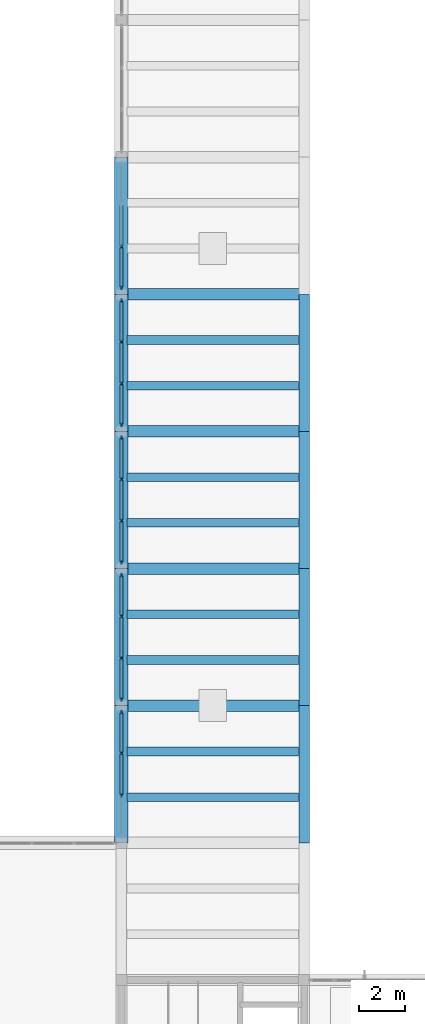
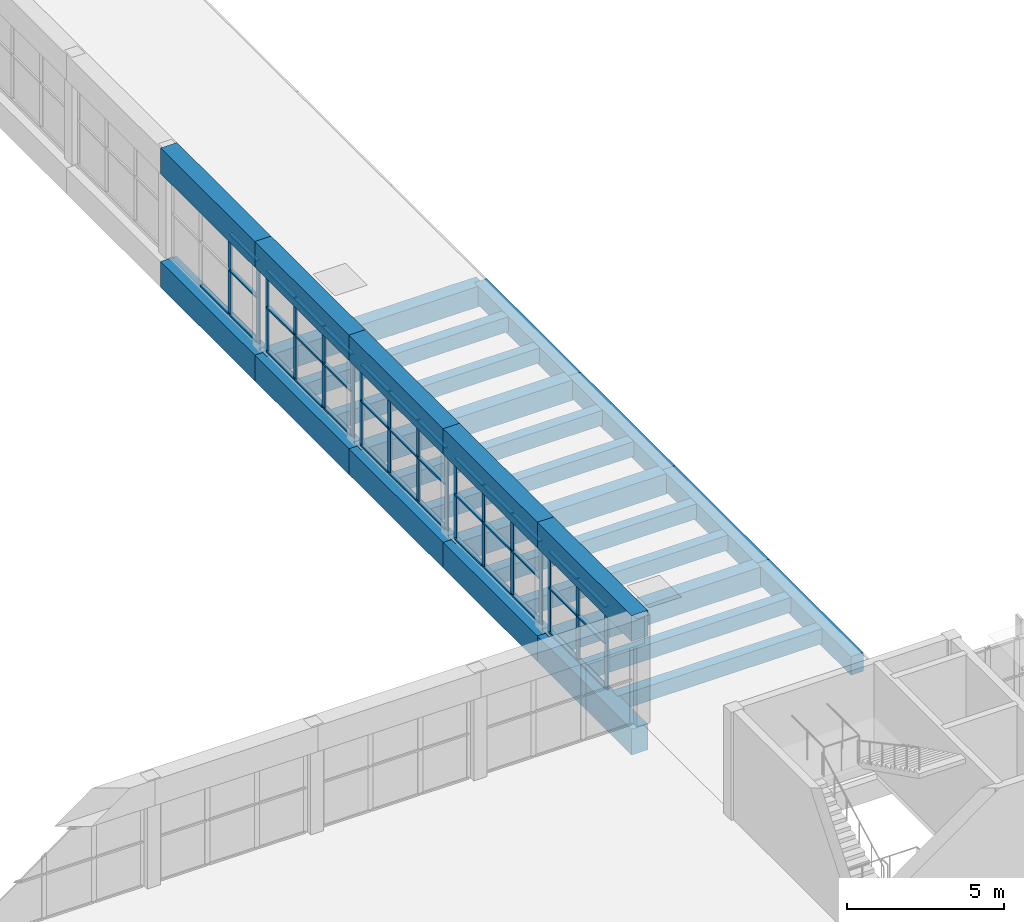
# One storey, part 13 of 70: 54 members, 26 beams, 5 elements without a shape of their own.
"""IFC4 building model written with IfcOpenShell, lengths in metres."""

from ifc_helpers import new_model, si_unit, direction, frame, origin, origin_2d, place, context, subcontext, project, spatial, rectangle, extrude, material, layer, layer_set, material_profile, profile_set, type_object, element, aggregate, save


model = new_model("IFC4")

# Units and contexts
model_context = context("Model", 3, precision=1e-05, world=origin(), true_north=direction((0.0, 1.0)))
body_context = subcontext(model_context, "Body", "Model", "MODEL_VIEW")
ifc_project = project(units=[si_unit("LENGTHUNIT", "METRE"), si_unit("AREAUNIT", "SQUARE_METRE"), si_unit("VOLUMEUNIT", "CUBIC_METRE"), si_unit("PLANEANGLEUNIT", "RADIAN"), si_unit("MASSUNIT", "GRAM", prefix="KILO")], contexts=[model_context])

# Site, building, storey
site_placement = place(None, origin())
site = spatial("IfcSite", under=ifc_project, at=site_placement, CompositionType="ELEMENT")
building_placement = place(site_placement, origin())
building = spatial("IfcBuilding", under=site, at=building_placement, Name="Solvane Community Centre", CompositionType="ELEMENT")
storey_placement = place(building_placement, frame((0.0, 0.0, 9.60009765625)))
storey = spatial("IfcBuildingStorey", under=building, at=storey_placement, Name="L02", CompositionType="ELEMENT", Elevation=9.60009765625)

# Curtain wall, members
ifc_material_1 = material(Name="Anodised bronze aluminium AW-6063 T6", Category="aluminium")
ifc_layer = layer(ifc_material_1, 0.179931640625)
ifc_layer_set = layer_set([ifc_layer], Name="Anodised bronze aluminium AW-6063 T6")
curtain_wall_type = type_object("IfcCurtainWallType", Name="Hall Translucent Upper Curtain Wall [55x32dm]", PredefinedType="NOTDEFINED", material=ifc_layer_set)
curtain_wall_1_placement = place(storey_placement, origin())
curtain_wall_1 = element("IfcCurtainWall", 1, at=curtain_wall_1_placement, inside=storey, type_object=curtain_wall_type, Name="Curtain Wall CW-L02-600_363-136", PredefinedType="NOTDEFINED")
ifc_material_profile_1 = material_profile(ifc_material_1, rectangle(XDim=0.06005859375, YDim=0.179931640625, at=origin_2d()), Name="CW-M 60x180")
ifc_profile_set_1 = profile_set([ifc_material_profile_1], Name="Anodised bronze aluminium AW-6063 T6")
member_type_1 = type_object("IfcMemberType", Name="Hall Mullion 60x180", PredefinedType="MULLION", material=ifc_profile_set_1)
member_1_placement = place(storey_placement, frame((60.0, 38.0849609375, 0.0), z_axis=(0.0, 0.0, 1.0), x_axis=(-1.0, 0.0, 0.0)))
member_1 = element("IfcMember", 2, at=member_1_placement, type_object=member_type_1, Name="CW01-55x32 mullion 2", PredefinedType="MULLION", context=body_context, shape_type="SweptSolid", body=[
    extrude(rectangle(XDim=0.06005859375, YDim=0.179931640625, at=origin_2d()), origin(), (0.0, 0.0, 1.0), 3.184814453125),
])
member_2_placement = place(storey_placement, frame((60.0, 39.9150390625, 0.0), z_axis=(0.0, 0.0, 1.0), x_axis=(-1.0, 0.0, 0.0)))
member_2 = element("IfcMember", 3, at=member_2_placement, type_object=member_type_1, Name="CW01-55x32 mullion 3", PredefinedType="MULLION", context=body_context, shape_type="SweptSolid", body=[
    extrude(rectangle(XDim=0.06005859375, YDim=0.179931640625, at=origin_2d()), origin(), (0.0, 0.0, 1.0), 3.184814453125),
])
member_3_placement = place(storey_placement, frame((60.0, 41.715087890625, 0.0), z_axis=(0.0, 0.0, 1.0), x_axis=(-1.0, 0.0, 0.0)))
member_3 = element("IfcMember", 4, at=member_3_placement, type_object=member_type_1, Name="CW01-55x32 mullion 4", PredefinedType="MULLION", context=body_context, shape_type="SweptSolid", body=[
    extrude(rectangle(XDim=0.06005859375, YDim=0.179931640625, at=origin_2d()), origin(), (0.0, 0.0, 1.0), 3.184814453125),
])

curtain_wall_2_placement = place(storey_placement, origin())
curtain_wall_2 = element("IfcCurtainWall", 5, at=curtain_wall_2_placement, inside=storey, type_object=curtain_wall_type, Name="Curtain Wall CW-L02-600_423-137", PredefinedType="NOTDEFINED")
member_4_placement = place(storey_placement, frame((60.0, 42.284912109375, 0.0), z_axis=(0.0, 0.0, 1.0), x_axis=(-1.0, 0.0, 0.0)))
member_4 = element("IfcMember", 6, at=member_4_placement, type_object=member_type_1, Name="CW01-55x32 mullion 1", PredefinedType="MULLION", context=body_context, shape_type="SweptSolid", body=[
    extrude(rectangle(XDim=0.06005859375, YDim=0.179931640625, at=origin_2d()), origin(), (0.0, 0.0, 1.0), 3.184814453125),
])
member_5_placement = place(storey_placement, frame((60.0, 44.0849609375, 0.0), z_axis=(0.0, 0.0, 1.0), x_axis=(-1.0, 0.0, 0.0)))
member_5 = element("IfcMember", 7, at=member_5_placement, type_object=member_type_1, Name="CW01-55x32 mullion 2", PredefinedType="MULLION", context=body_context, shape_type="SweptSolid", body=[
    extrude(rectangle(XDim=0.06005859375, YDim=0.179931640625, at=origin_2d()), origin(), (0.0, 0.0, 1.0), 3.184814453125),
])
member_6_placement = place(storey_placement, frame((60.0, 45.9150390625, 0.0), z_axis=(0.0, 0.0, 1.0), x_axis=(-1.0, 0.0, 0.0)))
member_6 = element("IfcMember", 8, at=member_6_placement, type_object=member_type_1, Name="CW01-55x32 mullion 3", PredefinedType="MULLION", context=body_context, shape_type="SweptSolid", body=[
    extrude(rectangle(XDim=0.06005859375, YDim=0.179931640625, at=origin_2d()), origin(), (0.0, 0.0, 1.0), 3.184814453125),
])
member_7_placement = place(storey_placement, frame((60.0, 47.715087890625, 0.0), z_axis=(0.0, 0.0, 1.0), x_axis=(-1.0, 0.0, 0.0)))
member_7 = element("IfcMember", 9, at=member_7_placement, type_object=member_type_1, Name="CW01-55x32 mullion 4", PredefinedType="MULLION", context=body_context, shape_type="SweptSolid", body=[
    extrude(rectangle(XDim=0.06005859375, YDim=0.179931640625, at=origin_2d()), origin(), (0.0, 0.0, 1.0), 3.184814453125),
])

curtain_wall_3_placement = place(storey_placement, origin())
curtain_wall_3 = element("IfcCurtainWall", 10, at=curtain_wall_3_placement, inside=storey, type_object=curtain_wall_type, Name="Curtain Wall CW-L02-600_483-138", PredefinedType="NOTDEFINED")
member_8_placement = place(storey_placement, frame((60.0, 48.284912109375, 0.0), z_axis=(0.0, 0.0, 1.0), x_axis=(-1.0, 0.0, 0.0)))
member_8 = element("IfcMember", 11, at=member_8_placement, type_object=member_type_1, Name="CW01-55x32 mullion 1", PredefinedType="MULLION", context=body_context, shape_type="SweptSolid", body=[
    extrude(rectangle(XDim=0.06005859375, YDim=0.179931640625, at=origin_2d()), origin(), (0.0, 0.0, 1.0), 3.184814453125),
])
member_9_placement = place(storey_placement, frame((60.0, 50.0849609375, 0.0), z_axis=(0.0, 0.0, 1.0), x_axis=(-1.0, 0.0, 0.0)))
member_9 = element("IfcMember", 12, at=member_9_placement, type_object=member_type_1, Name="CW01-55x32 mullion 2", PredefinedType="MULLION", context=body_context, shape_type="SweptSolid", body=[
    extrude(rectangle(XDim=0.06005859375, YDim=0.179931640625, at=origin_2d()), origin(), (0.0, 0.0, 1.0), 3.184814453125),
])
member_10_placement = place(storey_placement, frame((60.0, 51.9150390625, 0.0), z_axis=(0.0, 0.0, 1.0), x_axis=(-1.0, 0.0, 0.0)))
member_10 = element("IfcMember", 13, at=member_10_placement, type_object=member_type_1, Name="CW01-55x32 mullion 3", PredefinedType="MULLION", context=body_context, shape_type="SweptSolid", body=[
    extrude(rectangle(XDim=0.06005859375, YDim=0.179931640625, at=origin_2d()), origin(), (0.0, 0.0, 1.0), 3.184814453125),
])
member_11_placement = place(storey_placement, frame((60.0, 53.715087890625, 0.0), z_axis=(0.0, 0.0, 1.0), x_axis=(-1.0, 0.0, 0.0)))
member_11 = element("IfcMember", 14, at=member_11_placement, type_object=member_type_1, Name="CW01-55x32 mullion 4", PredefinedType="MULLION", context=body_context, shape_type="SweptSolid", body=[
    extrude(rectangle(XDim=0.06005859375, YDim=0.179931640625, at=origin_2d()), origin(), (0.0, 0.0, 1.0), 3.184814453125),
])

curtain_wall_4_placement = place(storey_placement, origin())
curtain_wall_4 = element("IfcCurtainWall", 15, at=curtain_wall_4_placement, inside=storey, type_object=curtain_wall_type, Name="Curtain Wall CW-L02-600_543-139", PredefinedType="NOTDEFINED")
member_12_placement = place(storey_placement, frame((60.0, 54.284912109375, 0.0), z_axis=(0.0, 0.0, 1.0), x_axis=(-1.0, 0.0, 0.0)))
member_12 = element("IfcMember", 16, at=member_12_placement, type_object=member_type_1, Name="CW01-55x32 mullion 1", PredefinedType="MULLION", context=body_context, shape_type="SweptSolid", body=[
    extrude(rectangle(XDim=0.06005859375, YDim=0.179931640625, at=origin_2d()), origin(), (0.0, 0.0, 1.0), 3.184814453125),
])
member_13_placement = place(storey_placement, frame((60.0, 56.0849609375, 0.0), z_axis=(0.0, 0.0, 1.0), x_axis=(-1.0, 0.0, 0.0)))
member_13 = element("IfcMember", 17, at=member_13_placement, type_object=member_type_1, Name="CW01-55x32 mullion 2", PredefinedType="MULLION", context=body_context, shape_type="SweptSolid", body=[
    extrude(rectangle(XDim=0.06005859375, YDim=0.179931640625, at=origin_2d()), origin(), (0.0, 0.0, 1.0), 3.184814453125),
])
member_14_placement = place(storey_placement, frame((60.0, 57.9150390625, 0.0), z_axis=(0.0, 0.0, 1.0), x_axis=(-1.0, 0.0, 0.0)))
member_14 = element("IfcMember", 18, at=member_14_placement, type_object=member_type_1, Name="CW01-55x32 mullion 3", PredefinedType="MULLION", context=body_context, shape_type="SweptSolid", body=[
    extrude(rectangle(XDim=0.06005859375, YDim=0.179931640625, at=origin_2d()), origin(), (0.0, 0.0, 1.0), 3.184814453125),
])
member_15_placement = place(storey_placement, frame((60.0, 59.715087890625, 0.0), z_axis=(0.0, 0.0, 1.0), x_axis=(-1.0, 0.0, 0.0)))
member_15 = element("IfcMember", 19, at=member_15_placement, type_object=member_type_1, Name="CW01-55x32 mullion 4", PredefinedType="MULLION", context=body_context, shape_type="SweptSolid", body=[
    extrude(rectangle(XDim=0.06005859375, YDim=0.179931640625, at=origin_2d()), origin(), (0.0, 0.0, 1.0), 3.184814453125),
])

curtain_wall_5_placement = place(storey_placement, origin())
curtain_wall_5 = element("IfcCurtainWall", 20, at=curtain_wall_5_placement, inside=storey, type_object=curtain_wall_type, Name="Curtain Wall CW-L02-600_603-140", PredefinedType="NOTDEFINED")
member_16_placement = place(storey_placement, frame((60.0, 60.284912109375, 0.0), z_axis=(0.0, 0.0, 1.0), x_axis=(-1.0, 0.0, 0.0)))
member_16 = element("IfcMember", 21, at=member_16_placement, type_object=member_type_1, Name="CW01-55x32 mullion 1", PredefinedType="MULLION", context=body_context, shape_type="SweptSolid", body=[
    extrude(rectangle(XDim=0.06005859375, YDim=0.179931640625, at=origin_2d()), origin(), (0.0, 0.0, 1.0), 3.184814453125),
])
member_17_placement = place(storey_placement, frame((60.0, 62.0849609375, 0.0), z_axis=(0.0, 0.0, 1.0), x_axis=(-1.0, 0.0, 0.0)))
member_17 = element("IfcMember", 22, at=member_17_placement, type_object=member_type_1, Name="CW01-55x32 mullion 2", PredefinedType="MULLION", context=body_context, shape_type="SweptSolid", body=[
    extrude(rectangle(XDim=0.06005859375, YDim=0.179931640625, at=origin_2d()), origin(), (0.0, 0.0, 1.0), 3.184814453125),
])

# Member
ifc_material_profile_2 = material_profile(ifc_material_1, rectangle(XDim=0.139892578125, YDim=0.06005859375, at=origin_2d()), Name="CW-T 60x140")
ifc_profile_set_2 = profile_set([ifc_material_profile_2], Name="Anodised bronze aluminium AW-6063 T6")
member_type_2 = type_object("IfcMemberType", Name="Hall Transom 60x140", PredefinedType="USERDEFINED", material=ifc_profile_set_2)
member_18_placement = place(storey_placement, frame((60.0, 38.114990234375, 0.02978515625), z_axis=(0.0, 1.0, 0.0), x_axis=(-1.0, 0.0, 0.0)))
member_18 = element("IfcMember", 23, at=member_18_placement, type_object=member_type_2, Name="CW01-55x32 transom 2.1", ObjectType="TRANSOM", PredefinedType="USERDEFINED", context=body_context, shape_type="SweptSolid", body=[
    extrude(rectangle(XDim=0.139892578125, YDim=0.06005859375, at=origin_2d()), origin(), (0.0, 0.0, 1.0), 1.77001953125),
])

member_19_placement = place(storey_placement, frame((60.0, 38.114990234375, 1.751953125), z_axis=(0.0, 1.0, 0.0), x_axis=(-1.0, 0.0, 0.0)))
member_19 = element("IfcMember", 24, at=member_19_placement, type_object=member_type_2, Name="CW01-55x32 transom 2.2", ObjectType="TRANSOM", PredefinedType="USERDEFINED", context=body_context, shape_type="SweptSolid", body=[
    extrude(rectangle(XDim=0.139892578125, YDim=0.06005859375, at=origin_2d()), origin(), (0.0, 0.0, 1.0), 1.77001953125),
])

member_20_placement = place(storey_placement, frame((60.0, 38.114990234375, 3.15478515625), z_axis=(0.0, 1.0, 0.0), x_axis=(-1.0, 0.0, 0.0)))
member_20 = element("IfcMember", 25, at=member_20_placement, type_object=member_type_2, Name="CW01-55x32 transom 2.3", ObjectType="TRANSOM", PredefinedType="USERDEFINED", context=body_context, shape_type="SweptSolid", body=[
    extrude(rectangle(XDim=0.139892578125, YDim=0.06005859375, at=origin_2d()), origin(), (0.0, 0.0, 1.0), 1.77001953125),
])

member_21_placement = place(storey_placement, frame((60.0, 39.945068359375, 0.02978515625), z_axis=(0.0, 1.0, 0.0), x_axis=(-1.0, 0.0, 0.0)))
member_21 = element("IfcMember", 26, at=member_21_placement, type_object=member_type_2, Name="CW01-55x32 transom 3.1", ObjectType="TRANSOM", PredefinedType="USERDEFINED", context=body_context, shape_type="SweptSolid", body=[
    extrude(rectangle(XDim=0.139892578125, YDim=0.06005859375, at=origin_2d()), origin(), (0.0, 0.0, 1.0), 1.739990234375),
])

member_22_placement = place(storey_placement, frame((60.0, 39.945068359375, 1.751953125), z_axis=(0.0, 1.0, 0.0), x_axis=(-1.0, 0.0, 0.0)))
member_22 = element("IfcMember", 27, at=member_22_placement, type_object=member_type_2, Name="CW01-55x32 transom 3.2", ObjectType="TRANSOM", PredefinedType="USERDEFINED", context=body_context, shape_type="SweptSolid", body=[
    extrude(rectangle(XDim=0.139892578125, YDim=0.06005859375, at=origin_2d()), origin(), (0.0, 0.0, 1.0), 1.739990234375),
])

member_23_placement = place(storey_placement, frame((60.0, 39.945068359375, 3.15478515625), z_axis=(0.0, 1.0, 0.0), x_axis=(-1.0, 0.0, 0.0)))
member_23 = element("IfcMember", 28, at=member_23_placement, type_object=member_type_2, Name="CW01-55x32 transom 3.3", ObjectType="TRANSOM", PredefinedType="USERDEFINED", context=body_context, shape_type="SweptSolid", body=[
    extrude(rectangle(XDim=0.139892578125, YDim=0.06005859375, at=origin_2d()), origin(), (0.0, 0.0, 1.0), 1.739990234375),
])

aggregate(curtain_wall_1, [member_1, member_2, member_3, member_18, member_19, member_20, member_21, member_22, member_23])

member_24_placement = place(storey_placement, frame((60.0, 42.31494140625, 0.02978515625), z_axis=(0.0, 1.0, 0.0), x_axis=(-1.0, 0.0, 0.0)))
member_24 = element("IfcMember", 29, at=member_24_placement, type_object=member_type_2, Name="CW01-55x32 transom 1.1", ObjectType="TRANSOM", PredefinedType="USERDEFINED", context=body_context, shape_type="SweptSolid", body=[
    extrude(rectangle(XDim=0.139892578125, YDim=0.06005859375, at=origin_2d()), origin(), (0.0, 0.0, 1.0), 1.739990234375),
])

member_25_placement = place(storey_placement, frame((60.0, 42.31494140625, 1.751953125), z_axis=(0.0, 1.0, 0.0), x_axis=(-1.0, 0.0, 0.0)))
member_25 = element("IfcMember", 30, at=member_25_placement, type_object=member_type_2, Name="CW01-55x32 transom 1.2", ObjectType="TRANSOM", PredefinedType="USERDEFINED", context=body_context, shape_type="SweptSolid", body=[
    extrude(rectangle(XDim=0.139892578125, YDim=0.06005859375, at=origin_2d()), origin(), (0.0, 0.0, 1.0), 1.739990234375),
])

member_26_placement = place(storey_placement, frame((60.0, 42.31494140625, 3.15478515625), z_axis=(0.0, 1.0, 0.0), x_axis=(-1.0, 0.0, 0.0)))
member_26 = element("IfcMember", 31, at=member_26_placement, type_object=member_type_2, Name="CW01-55x32 transom 1.3", ObjectType="TRANSOM", PredefinedType="USERDEFINED", context=body_context, shape_type="SweptSolid", body=[
    extrude(rectangle(XDim=0.139892578125, YDim=0.06005859375, at=origin_2d()), origin(), (0.0, 0.0, 1.0), 1.739990234375),
])

member_27_placement = place(storey_placement, frame((60.0, 44.114990234375, 0.02978515625), z_axis=(0.0, 1.0, 0.0), x_axis=(-1.0, 0.0, 0.0)))
member_27 = element("IfcMember", 32, at=member_27_placement, type_object=member_type_2, Name="CW01-55x32 transom 2.1", ObjectType="TRANSOM", PredefinedType="USERDEFINED", context=body_context, shape_type="SweptSolid", body=[
    extrude(rectangle(XDim=0.139892578125, YDim=0.06005859375, at=origin_2d()), origin(), (0.0, 0.0, 1.0), 1.77001953125),
])

member_28_placement = place(storey_placement, frame((60.0, 44.114990234375, 1.751953125), z_axis=(0.0, 1.0, 0.0), x_axis=(-1.0, 0.0, 0.0)))
member_28 = element("IfcMember", 33, at=member_28_placement, type_object=member_type_2, Name="CW01-55x32 transom 2.2", ObjectType="TRANSOM", PredefinedType="USERDEFINED", context=body_context, shape_type="SweptSolid", body=[
    extrude(rectangle(XDim=0.139892578125, YDim=0.06005859375, at=origin_2d()), origin(), (0.0, 0.0, 1.0), 1.77001953125),
])

member_29_placement = place(storey_placement, frame((60.0, 44.114990234375, 3.15478515625), z_axis=(0.0, 1.0, 0.0), x_axis=(-1.0, 0.0, 0.0)))
member_29 = element("IfcMember", 34, at=member_29_placement, type_object=member_type_2, Name="CW01-55x32 transom 2.3", ObjectType="TRANSOM", PredefinedType="USERDEFINED", context=body_context, shape_type="SweptSolid", body=[
    extrude(rectangle(XDim=0.139892578125, YDim=0.06005859375, at=origin_2d()), origin(), (0.0, 0.0, 1.0), 1.77001953125),
])

member_30_placement = place(storey_placement, frame((60.0, 45.945068359375, 0.02978515625), z_axis=(0.0, 1.0, 0.0), x_axis=(-1.0, 0.0, 0.0)))
member_30 = element("IfcMember", 35, at=member_30_placement, type_object=member_type_2, Name="CW01-55x32 transom 3.1", ObjectType="TRANSOM", PredefinedType="USERDEFINED", context=body_context, shape_type="SweptSolid", body=[
    extrude(rectangle(XDim=0.139892578125, YDim=0.06005859375, at=origin_2d()), origin(), (0.0, 0.0, 1.0), 1.739990234375),
])

member_31_placement = place(storey_placement, frame((60.0, 45.945068359375, 1.751953125), z_axis=(0.0, 1.0, 0.0), x_axis=(-1.0, 0.0, 0.0)))
member_31 = element("IfcMember", 36, at=member_31_placement, type_object=member_type_2, Name="CW01-55x32 transom 3.2", ObjectType="TRANSOM", PredefinedType="USERDEFINED", context=body_context, shape_type="SweptSolid", body=[
    extrude(rectangle(XDim=0.139892578125, YDim=0.06005859375, at=origin_2d()), origin(), (0.0, 0.0, 1.0), 1.739990234375),
])

member_32_placement = place(storey_placement, frame((60.0, 45.945068359375, 3.15478515625), z_axis=(0.0, 1.0, 0.0), x_axis=(-1.0, 0.0, 0.0)))
member_32 = element("IfcMember", 37, at=member_32_placement, type_object=member_type_2, Name="CW01-55x32 transom 3.3", ObjectType="TRANSOM", PredefinedType="USERDEFINED", context=body_context, shape_type="SweptSolid", body=[
    extrude(rectangle(XDim=0.139892578125, YDim=0.06005859375, at=origin_2d()), origin(), (0.0, 0.0, 1.0), 1.739990234375),
])

aggregate(curtain_wall_2, [member_4, member_5, member_6, member_7, member_24, member_25, member_26, member_27, member_28, member_29, member_30, member_31, member_32])

member_33_placement = place(storey_placement, frame((60.0, 48.31494140625, 0.02978515625), z_axis=(0.0, 1.0, 0.0), x_axis=(-1.0, 0.0, 0.0)))
member_33 = element("IfcMember", 38, at=member_33_placement, type_object=member_type_2, Name="CW01-55x32 transom 1.1", ObjectType="TRANSOM", PredefinedType="USERDEFINED", context=body_context, shape_type="SweptSolid", body=[
    extrude(rectangle(XDim=0.139892578125, YDim=0.06005859375, at=origin_2d()), origin(), (0.0, 0.0, 1.0), 1.739990234375),
])

member_34_placement = place(storey_placement, frame((60.0, 48.31494140625, 1.751953125), z_axis=(0.0, 1.0, 0.0), x_axis=(-1.0, 0.0, 0.0)))
member_34 = element("IfcMember", 39, at=member_34_placement, type_object=member_type_2, Name="CW01-55x32 transom 1.2", ObjectType="TRANSOM", PredefinedType="USERDEFINED", context=body_context, shape_type="SweptSolid", body=[
    extrude(rectangle(XDim=0.139892578125, YDim=0.06005859375, at=origin_2d()), origin(), (0.0, 0.0, 1.0), 1.739990234375),
])

member_35_placement = place(storey_placement, frame((60.0, 48.31494140625, 3.15478515625), z_axis=(0.0, 1.0, 0.0), x_axis=(-1.0, 0.0, 0.0)))
member_35 = element("IfcMember", 40, at=member_35_placement, type_object=member_type_2, Name="CW01-55x32 transom 1.3", ObjectType="TRANSOM", PredefinedType="USERDEFINED", context=body_context, shape_type="SweptSolid", body=[
    extrude(rectangle(XDim=0.139892578125, YDim=0.06005859375, at=origin_2d()), origin(), (0.0, 0.0, 1.0), 1.739990234375),
])

member_36_placement = place(storey_placement, frame((60.0, 50.114990234375, 0.02978515625), z_axis=(0.0, 1.0, 0.0), x_axis=(-1.0, 0.0, 0.0)))
member_36 = element("IfcMember", 41, at=member_36_placement, type_object=member_type_2, Name="CW01-55x32 transom 2.1", ObjectType="TRANSOM", PredefinedType="USERDEFINED", context=body_context, shape_type="SweptSolid", body=[
    extrude(rectangle(XDim=0.139892578125, YDim=0.06005859375, at=origin_2d()), origin(), (0.0, 0.0, 1.0), 1.77001953125),
])

member_37_placement = place(storey_placement, frame((60.0, 50.114990234375, 1.751953125), z_axis=(0.0, 1.0, 0.0), x_axis=(-1.0, 0.0, 0.0)))
member_37 = element("IfcMember", 42, at=member_37_placement, type_object=member_type_2, Name="CW01-55x32 transom 2.2", ObjectType="TRANSOM", PredefinedType="USERDEFINED", context=body_context, shape_type="SweptSolid", body=[
    extrude(rectangle(XDim=0.139892578125, YDim=0.06005859375, at=origin_2d()), origin(), (0.0, 0.0, 1.0), 1.77001953125),
])

member_38_placement = place(storey_placement, frame((60.0, 50.114990234375, 3.15478515625), z_axis=(0.0, 1.0, 0.0), x_axis=(-1.0, 0.0, 0.0)))
member_38 = element("IfcMember", 43, at=member_38_placement, type_object=member_type_2, Name="CW01-55x32 transom 2.3", ObjectType="TRANSOM", PredefinedType="USERDEFINED", context=body_context, shape_type="SweptSolid", body=[
    extrude(rectangle(XDim=0.139892578125, YDim=0.06005859375, at=origin_2d()), origin(), (0.0, 0.0, 1.0), 1.77001953125),
])

member_39_placement = place(storey_placement, frame((60.0, 51.945068359375, 0.02978515625), z_axis=(0.0, 1.0, 0.0), x_axis=(-1.0, 0.0, 0.0)))
member_39 = element("IfcMember", 44, at=member_39_placement, type_object=member_type_2, Name="CW01-55x32 transom 3.1", ObjectType="TRANSOM", PredefinedType="USERDEFINED", context=body_context, shape_type="SweptSolid", body=[
    extrude(rectangle(XDim=0.139892578125, YDim=0.06005859375, at=origin_2d()), origin(), (0.0, 0.0, 1.0), 1.739990234375),
])

member_40_placement = place(storey_placement, frame((60.0, 51.945068359375, 1.751953125), z_axis=(0.0, 1.0, 0.0), x_axis=(-1.0, 0.0, 0.0)))
member_40 = element("IfcMember", 45, at=member_40_placement, type_object=member_type_2, Name="CW01-55x32 transom 3.2", ObjectType="TRANSOM", PredefinedType="USERDEFINED", context=body_context, shape_type="SweptSolid", body=[
    extrude(rectangle(XDim=0.139892578125, YDim=0.06005859375, at=origin_2d()), origin(), (0.0, 0.0, 1.0), 1.739990234375),
])

member_41_placement = place(storey_placement, frame((60.0, 51.945068359375, 3.15478515625), z_axis=(0.0, 1.0, 0.0), x_axis=(-1.0, 0.0, 0.0)))
member_41 = element("IfcMember", 46, at=member_41_placement, type_object=member_type_2, Name="CW01-55x32 transom 3.3", ObjectType="TRANSOM", PredefinedType="USERDEFINED", context=body_context, shape_type="SweptSolid", body=[
    extrude(rectangle(XDim=0.139892578125, YDim=0.06005859375, at=origin_2d()), origin(), (0.0, 0.0, 1.0), 1.739990234375),
])

aggregate(curtain_wall_3, [member_8, member_9, member_10, member_11, member_33, member_34, member_35, member_36, member_37, member_38, member_39, member_40, member_41])

member_42_placement = place(storey_placement, frame((60.0, 54.31494140625, 0.02978515625), z_axis=(0.0, 1.0, 0.0), x_axis=(-1.0, 0.0, 0.0)))
member_42 = element("IfcMember", 47, at=member_42_placement, type_object=member_type_2, Name="CW01-55x32 transom 1.1", ObjectType="TRANSOM", PredefinedType="USERDEFINED", context=body_context, shape_type="SweptSolid", body=[
    extrude(rectangle(XDim=0.139892578125, YDim=0.06005859375, at=origin_2d()), origin(), (0.0, 0.0, 1.0), 1.739990234375),
])

member_43_placement = place(storey_placement, frame((60.0, 54.31494140625, 1.751953125), z_axis=(0.0, 1.0, 0.0), x_axis=(-1.0, 0.0, 0.0)))
member_43 = element("IfcMember", 48, at=member_43_placement, type_object=member_type_2, Name="CW01-55x32 transom 1.2", ObjectType="TRANSOM", PredefinedType="USERDEFINED", context=body_context, shape_type="SweptSolid", body=[
    extrude(rectangle(XDim=0.139892578125, YDim=0.06005859375, at=origin_2d()), origin(), (0.0, 0.0, 1.0), 1.739990234375),
])

member_44_placement = place(storey_placement, frame((60.0, 54.31494140625, 3.15478515625), z_axis=(0.0, 1.0, 0.0), x_axis=(-1.0, 0.0, 0.0)))
member_44 = element("IfcMember", 49, at=member_44_placement, type_object=member_type_2, Name="CW01-55x32 transom 1.3", ObjectType="TRANSOM", PredefinedType="USERDEFINED", context=body_context, shape_type="SweptSolid", body=[
    extrude(rectangle(XDim=0.139892578125, YDim=0.06005859375, at=origin_2d()), origin(), (0.0, 0.0, 1.0), 1.739990234375),
])

member_45_placement = place(storey_placement, frame((60.0, 56.114990234375, 0.02978515625), z_axis=(0.0, 1.0, 0.0), x_axis=(-1.0, 0.0, 0.0)))
member_45 = element("IfcMember", 50, at=member_45_placement, type_object=member_type_2, Name="CW01-55x32 transom 2.1", ObjectType="TRANSOM", PredefinedType="USERDEFINED", context=body_context, shape_type="SweptSolid", body=[
    extrude(rectangle(XDim=0.139892578125, YDim=0.06005859375, at=origin_2d()), origin(), (0.0, 0.0, 1.0), 1.77001953125),
])

member_46_placement = place(storey_placement, frame((60.0, 56.114990234375, 1.751953125), z_axis=(0.0, 1.0, 0.0), x_axis=(-1.0, 0.0, 0.0)))
member_46 = element("IfcMember", 51, at=member_46_placement, type_object=member_type_2, Name="CW01-55x32 transom 2.2", ObjectType="TRANSOM", PredefinedType="USERDEFINED", context=body_context, shape_type="SweptSolid", body=[
    extrude(rectangle(XDim=0.139892578125, YDim=0.06005859375, at=origin_2d()), origin(), (0.0, 0.0, 1.0), 1.77001953125),
])

member_47_placement = place(storey_placement, frame((60.0, 56.114990234375, 3.15478515625), z_axis=(0.0, 1.0, 0.0), x_axis=(-1.0, 0.0, 0.0)))
member_47 = element("IfcMember", 52, at=member_47_placement, type_object=member_type_2, Name="CW01-55x32 transom 2.3", ObjectType="TRANSOM", PredefinedType="USERDEFINED", context=body_context, shape_type="SweptSolid", body=[
    extrude(rectangle(XDim=0.139892578125, YDim=0.06005859375, at=origin_2d()), origin(), (0.0, 0.0, 1.0), 1.77001953125),
])

member_48_placement = place(storey_placement, frame((60.0, 57.945068359375, 0.02978515625), z_axis=(0.0, 1.0, 0.0), x_axis=(-1.0, 0.0, 0.0)))
member_48 = element("IfcMember", 53, at=member_48_placement, type_object=member_type_2, Name="CW01-55x32 transom 3.1", ObjectType="TRANSOM", PredefinedType="USERDEFINED", context=body_context, shape_type="SweptSolid", body=[
    extrude(rectangle(XDim=0.139892578125, YDim=0.06005859375, at=origin_2d()), origin(), (0.0, 0.0, 1.0), 1.739990234375),
])

member_49_placement = place(storey_placement, frame((60.0, 57.945068359375, 1.751953125), z_axis=(0.0, 1.0, 0.0), x_axis=(-1.0, 0.0, 0.0)))
member_49 = element("IfcMember", 54, at=member_49_placement, type_object=member_type_2, Name="CW01-55x32 transom 3.2", ObjectType="TRANSOM", PredefinedType="USERDEFINED", context=body_context, shape_type="SweptSolid", body=[
    extrude(rectangle(XDim=0.139892578125, YDim=0.06005859375, at=origin_2d()), origin(), (0.0, 0.0, 1.0), 1.739990234375),
])

member_50_placement = place(storey_placement, frame((60.0, 57.945068359375, 3.15478515625), z_axis=(0.0, 1.0, 0.0), x_axis=(-1.0, 0.0, 0.0)))
member_50 = element("IfcMember", 55, at=member_50_placement, type_object=member_type_2, Name="CW01-55x32 transom 3.3", ObjectType="TRANSOM", PredefinedType="USERDEFINED", context=body_context, shape_type="SweptSolid", body=[
    extrude(rectangle(XDim=0.139892578125, YDim=0.06005859375, at=origin_2d()), origin(), (0.0, 0.0, 1.0), 1.739990234375),
])

aggregate(curtain_wall_4, [member_12, member_13, member_14, member_15, member_42, member_43, member_44, member_45, member_46, member_47, member_48, member_49, member_50])

member_51_placement = place(storey_placement, frame((60.0, 60.31494140625, 0.02978515625), z_axis=(0.0, 1.0, 0.0), x_axis=(-1.0, 0.0, 0.0)))
member_51 = element("IfcMember", 56, at=member_51_placement, type_object=member_type_2, Name="CW01-55x32 transom 1.1", ObjectType="TRANSOM", PredefinedType="USERDEFINED", context=body_context, shape_type="SweptSolid", body=[
    extrude(rectangle(XDim=0.139892578125, YDim=0.06005859375, at=origin_2d()), origin(), (0.0, 0.0, 1.0), 1.739990234375),
])

member_52_placement = place(storey_placement, frame((60.0, 60.31494140625, 1.751953125), z_axis=(0.0, 1.0, 0.0), x_axis=(-1.0, 0.0, 0.0)))
member_52 = element("IfcMember", 57, at=member_52_placement, type_object=member_type_2, Name="CW01-55x32 transom 1.2", ObjectType="TRANSOM", PredefinedType="USERDEFINED", context=body_context, shape_type="SweptSolid", body=[
    extrude(rectangle(XDim=0.139892578125, YDim=0.06005859375, at=origin_2d()), origin(), (0.0, 0.0, 1.0), 1.739990234375),
])

member_53_placement = place(storey_placement, frame((60.0, 60.31494140625, 3.15478515625), z_axis=(0.0, 1.0, 0.0), x_axis=(-1.0, 0.0, 0.0)))
member_53 = element("IfcMember", 58, at=member_53_placement, type_object=member_type_2, Name="CW01-55x32 transom 1.3", ObjectType="TRANSOM", PredefinedType="USERDEFINED", context=body_context, shape_type="SweptSolid", body=[
    extrude(rectangle(XDim=0.139892578125, YDim=0.06005859375, at=origin_2d()), origin(), (0.0, 0.0, 1.0), 1.739990234375),
])

member_54_placement = place(storey_placement, frame((60.0, 62.114990234375, 0.02978515625), z_axis=(0.0, 1.0, 0.0), x_axis=(-1.0, 0.0, 0.0)))
member_54 = element("IfcMember", 59, at=member_54_placement, type_object=member_type_2, Name="CW01-55x32 transom 2.1", ObjectType="TRANSOM", PredefinedType="USERDEFINED", context=body_context, shape_type="SweptSolid", body=[
    extrude(rectangle(XDim=0.139892578125, YDim=0.06005859375, at=origin_2d()), origin(), (0.0, 0.0, 1.0), 1.77001953125),
])

aggregate(curtain_wall_5, [member_16, member_17, member_51, member_52, member_53, member_54])

# Beams
ifc_material_2 = material(Name="Concrete C35/45", Category="concrete")
ifc_material_profile_3 = material_profile(ifc_material_2, rectangle(XDim=0.4599609375, YDim=0.719970703125, at=origin_2d()), Name="RC 460x720")
ifc_profile_set_3 = profile_set([ifc_material_profile_3], Name="Concrete C35/45")
beam_type_1 = type_object("IfcBeamType", Name="RC Cloister Beam 460x720", PredefinedType="BEAM", material=ifc_profile_set_3)
for number, where, z_axis, x_axis, name in (
    (60, (68.0, 36.0, -0.580078125), (0.0, 1.0, 0.0), (-1.0, 0.0, 0.0), "Beam BM-L02-680_360-680_420"),
    (61, (68.0, 42.0, -0.580078125), (0.0, 1.0, 0.0), (-1.0, 0.0, 0.0), "Beam BM-L02-680_420-680_480"),
    (62, (68.0, 48.0, -0.580078125), (0.0, 1.0, 0.0), (-1.0, 0.0, 0.0), "Beam BM-L02-680_480-680_540"),
    (63, (68.0, 54.0, -0.580078125), (0.0, 1.0, 0.0), (-1.0, 0.0, 0.0), "Beam BM-L02-680_540-680_600"),
):
    element("IfcBeam", number, at=place(storey_placement, frame(where, z_axis=z_axis, x_axis=x_axis)), inside=storey, type_object=beam_type_1, Name=name, PredefinedType="BEAM", context=body_context, shape_type="SweptSolid", body=[
        extrude(rectangle(XDim=0.4599609375, YDim=0.719970703125, at=origin_2d()), origin(), (0.0, 0.0, 1.0), 6.0),
    ])
ifc_material_profile_4 = material_profile(ifc_material_2, rectangle(XDim=0.5, YDim=0.800048828125, at=origin_2d()), Name="RC 500x800")
ifc_profile_set_4 = profile_set([ifc_material_profile_4], Name="Concrete C35/45")
beam_type_2 = type_object("IfcBeamType", Name="RC Primary Girder 500x800", PredefinedType="USERDEFINED", material=ifc_profile_set_4)
for number, where, z_axis, x_axis, name in (
    (64, (60.0, 42.0, -0.6201171875), (1.0, 0.0, 0.0), (0.0, 1.0, 0.0), "Beam BM-L02-600_420-680_420"),
    (65, (60.0, 48.0, -0.6201171875), (1.0, 0.0, 0.0), (0.0, 1.0, 0.0), "Beam BM-L02-600_480-680_480"),
    (66, (60.0, 54.0, -0.6201171875), (1.0, 0.0, 0.0), (0.0, 1.0, 0.0), "Beam BM-L02-600_540-680_540"),
    (67, (60.0, 60.0, -0.6201171875), (1.0, 0.0, 0.0), (0.0, 1.0, 0.0), "Beam BM-L02-600_600-680_600"),
):
    element("IfcBeam", number, at=place(storey_placement, frame(where, z_axis=z_axis, x_axis=x_axis)), inside=storey, type_object=beam_type_2, Name=name, ObjectType="GIRDER", PredefinedType="USERDEFINED", context=body_context, shape_type="SweptSolid", body=[
        extrude(rectangle(XDim=0.5, YDim=0.800048828125, at=origin_2d()), origin(), (0.0, 0.0, 1.0), 8.0),
    ])
ifc_material_profile_5 = material_profile(ifc_material_2, rectangle(XDim=0.3798828125, YDim=0.580078125, at=origin_2d()), Name="RC 380x580")
ifc_profile_set_5 = profile_set([ifc_material_profile_5], Name="Concrete C35/45")
beam_type_3 = type_object("IfcBeamType", Name="RC Short Joist 380x580", PredefinedType="JOIST", material=ifc_profile_set_5)
for number, where, z_axis, x_axis, name in (
    (68, (60.239990234375, 38.0, -0.510009765625), (1.0, 0.0, 0.0), (0.0, 1.0, 0.0), "Beam BM-L02-602_380-678_380"),
    (69, (60.239990234375, 40.0, -0.510009765625), (1.0, 0.0, 0.0), (0.0, 1.0, 0.0), "Beam BM-L02-602_400-678_400"),
    (70, (60.239990234375, 44.0, -0.510009765625), (1.0, 0.0, 0.0), (0.0, 1.0, 0.0), "Beam BM-L02-602_440-678_440"),
    (71, (60.239990234375, 46.0, -0.510009765625), (1.0, 0.0, 0.0), (0.0, 1.0, 0.0), "Beam BM-L02-602_460-678_460"),
    (72, (60.239990234375, 50.0, -0.510009765625), (1.0, 0.0, 0.0), (0.0, 1.0, 0.0), "Beam BM-L02-602_500-678_500"),
    (73, (60.239990234375, 52.0, -0.510009765625), (1.0, 0.0, 0.0), (0.0, 1.0, 0.0), "Beam BM-L02-602_520-678_520"),
    (74, (60.239990234375, 56.0, -0.510009765625), (1.0, 0.0, 0.0), (0.0, 1.0, 0.0), "Beam BM-L02-602_560-678_560"),
    (75, (60.239990234375, 58.0, -0.510009765625), (1.0, 0.0, 0.0), (0.0, 1.0, 0.0), "Beam BM-L02-602_580-678_580"),
):
    element("IfcBeam", number, at=place(storey_placement, frame(where, z_axis=z_axis, x_axis=x_axis)), inside=storey, type_object=beam_type_3, Name=name, PredefinedType="JOIST", context=body_context, shape_type="SweptSolid", body=[
        extrude(rectangle(XDim=0.3798828125, YDim=0.580078125, at=origin_2d()), origin(), (0.0, 0.0, 1.0), 7.52001953125),
    ])
ifc_material_profile_6 = material_profile(ifc_material_2, rectangle(XDim=0.60009765625, YDim=1.0, at=origin_2d()), Name="RC 600x1000")
ifc_profile_set_6 = profile_set([ifc_material_profile_6], Name="Concrete C35/45")
beam_type_4 = type_object("IfcBeamType", Name="RC Vault Thrust Ring Girder 600x1000", PredefinedType="USERDEFINED", material=ifc_profile_set_6)
for number, where, z_axis, x_axis, name in (
    (76, (60.0, 36.0, -0.72021484375), (0.0, 1.0, 0.0), (-1.0, 0.0, 0.0), "Beam BM-L02-600_360-600_420"),
    (77, (60.0, 42.0, -0.72021484375), (0.0, 1.0, 0.0), (-1.0, 0.0, 0.0), "Beam BM-L02-600_420-600_480"),
    (78, (60.0, 48.0, -0.72021484375), (0.0, 1.0, 0.0), (-1.0, 0.0, 0.0), "Beam BM-L02-600_480-600_540"),
    (79, (60.0, 54.0, -0.72021484375), (0.0, 1.0, 0.0), (-1.0, 0.0, 0.0), "Beam BM-L02-600_540-600_600"),
    (80, (60.0, 60.0, -0.72021484375), (0.0, 1.0, 0.0), (-1.0, 0.0, 0.0), "Beam BM-L02-600_600-600_660"),
    (81, (60.0, 36.0, 3.699951171875), (0.0, 1.0, 0.0), (-1.0, 0.0, 0.0), "Beam BM-L02-600_360-600_420-1457"),
    (82, (60.0, 42.0, 3.699951171875), (0.0, 1.0, 0.0), (-1.0, 0.0, 0.0), "Beam BM-L02-600_420-600_480-1459"),
    (83, (60.0, 48.0, 3.699951171875), (0.0, 1.0, 0.0), (-1.0, 0.0, 0.0), "Beam BM-L02-600_480-600_540-1461"),
    (84, (60.0, 54.0, 3.699951171875), (0.0, 1.0, 0.0), (-1.0, 0.0, 0.0), "Beam BM-L02-600_540-600_600-1463"),
    (85, (60.0, 60.0, 3.699951171875), (0.0, 1.0, 0.0), (-1.0, 0.0, 0.0), "Beam BM-L02-600_600-600_660-1465"),
):
    element("IfcBeam", number, at=place(storey_placement, frame(where, z_axis=z_axis, x_axis=x_axis)), inside=storey, type_object=beam_type_4, Name=name, ObjectType="GIRDER", PredefinedType="USERDEFINED", context=body_context, shape_type="SweptSolid", body=[
        extrude(rectangle(XDim=0.60009765625, YDim=1.0, at=origin_2d()), origin(), (0.0, 0.0, 1.0), 6.0),
    ])

save(model, "model.ifc")
